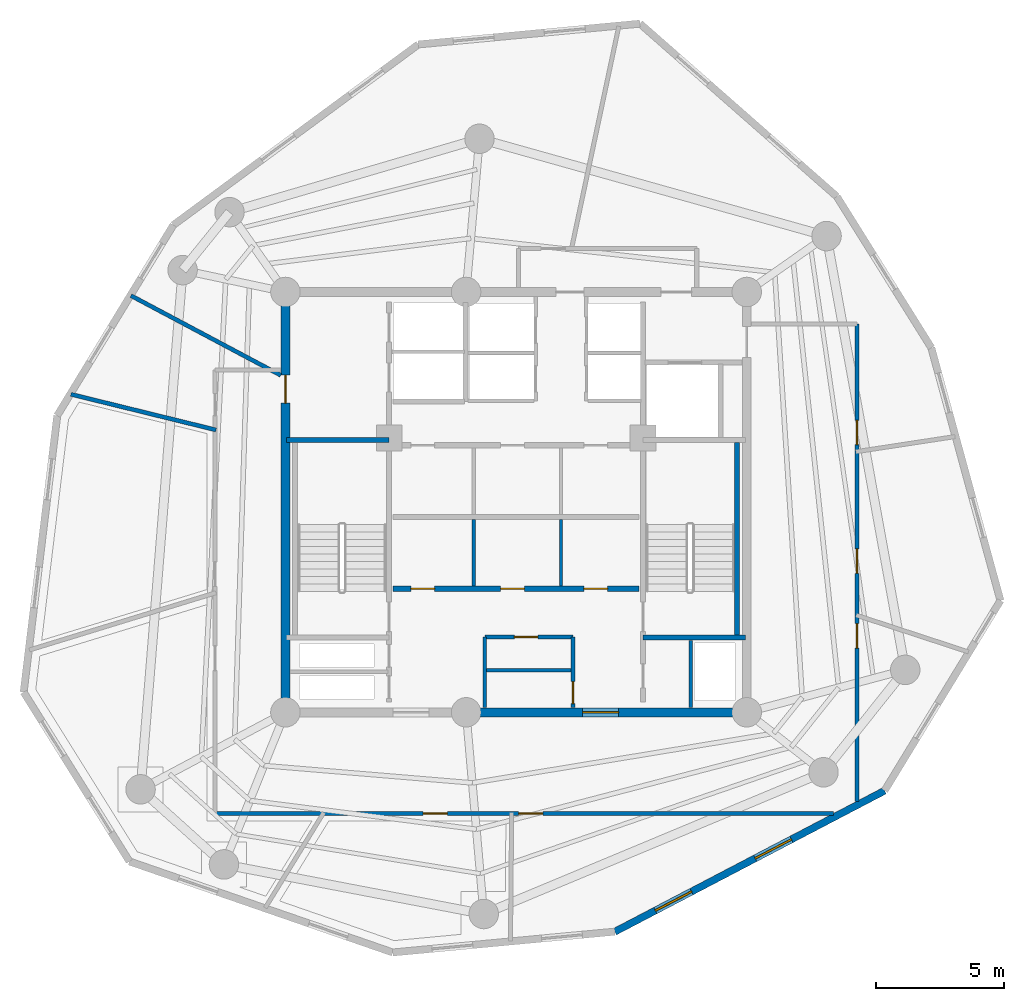
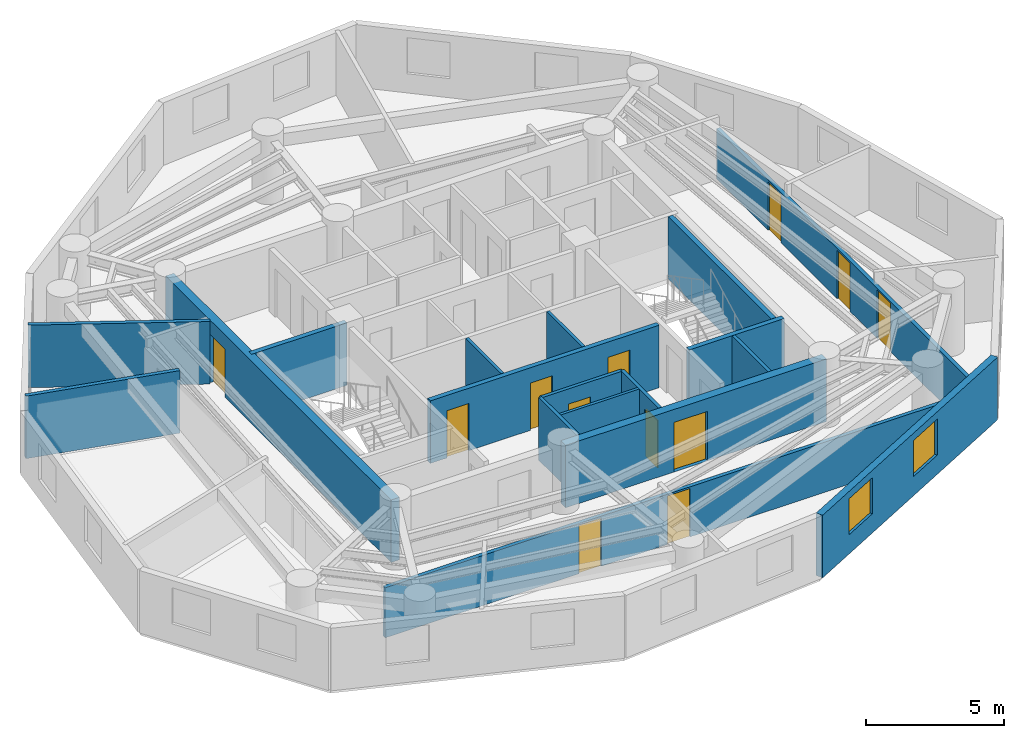
# One storey, part 3 of 6: 18 walls, 12 doors, 2 windows, 14 openings.
"""IFC4 building model written with IfcOpenShell, lengths in metres."""

from ifc_helpers import new_model, si_unit, direction, frame, frame_2d, origin, origin_with_axes, place, context, subcontext, project, spatial, rectangle, extrude, source, transform, mapped, material, layer, layer_set, type_object, element, fill, save


model = new_model("IFC4")

# Units and contexts
model_context = context("Model", 3, precision=1e-05, world=origin(), true_north=direction((0.0, 1.0)))
body_context = subcontext(model_context, "Body", "Model", "MODEL_VIEW")
ifc_project = project(units=[si_unit("LENGTHUNIT", "METRE"), si_unit("AREAUNIT", "SQUARE_METRE"), si_unit("VOLUMEUNIT", "CUBIC_METRE"), si_unit("PLANEANGLEUNIT", "RADIAN"), si_unit("MASSUNIT", "GRAM", prefix="KILO")], contexts=[model_context])

# Site, building, storey
site_placement = place(None, origin())
site = spatial("IfcSite", under=ifc_project, at=site_placement, CompositionType="ELEMENT")
building_placement = place(site_placement, origin())
building = spatial("IfcBuilding", under=site, at=building_placement, Name="Karkom Vertical University and Central Library", CompositionType="ELEMENT")
storey_placement = place(building_placement, frame((0.0, 0.0, 265.699951171875)))
storey = spatial("IfcBuildingStorey", under=building, at=storey_placement, Name="L79", CompositionType="ELEMENT", Elevation=265.699951171875)

# Wall, openings, windows
ifc_material_1 = material(Name="Brick-faced precast concrete C45/55", Category="masonry")
ifc_layer_1 = layer(ifc_material_1, 0.280029296875)
ifc_layer_set_1 = layer_set([ifc_layer_1], Name="Brick-faced precast concrete C45/55")
wall_type_1 = type_object("IfcWallType", Name="ENV-WL-BRK-280", PredefinedType="SOLIDWALL", material=ifc_layer_set_1)
wall_1_placement = place(storey_placement, frame((32.35498046875, 9.739501953125, 0.0), z_axis=(0.0, 0.0, 1.0), x_axis=(0.886211058158, 0.463281728972, 0.0)))
wall_1 = element("IfcWall", 1, at=wall_1_placement, inside=storey, type_object=wall_type_1, Name="Level 79 Brick-Faced Precast Facade Wall 04", PredefinedType="SOLIDWALL", context=body_context, shape_type="SweptSolid", body=[
    extrude(rectangle(XDim=11.87646484375, YDim=0.280029296875, at=frame_2d((5.938232421875, 0.0))), origin(), (0.0, 0.0, 1.0), 2.775146484375),
])
opening_1_placement = place(wall_1_placement, frame((1.7783203125, 0.0, 0.85009765625)))
opening_1 = element("IfcOpeningElement", 2, at=opening_1_placement, cuts=wall_1, Name="Opening WN-10", PredefinedType="OPENING", context=body_context, shape_type="SweptSolid", body=[
    extrude(rectangle(XDim=1.60009765625, YDim=1.60009765625, at=frame_2d((0.800048828125, 0.800048828125))), frame((0.0, 0.14990234375, 0.0), z_axis=(0.0, -1.0, 0.0), x_axis=(1.0, 0.0, 0.0)), (0.0, 0.0, 1.0), 0.300048828125),
])
opening_2_placement = place(wall_1_placement, frame((6.1748046875, 0.0, 0.85009765625)))
opening_2 = element("IfcOpeningElement", 3, at=opening_2_placement, cuts=wall_1, Name="Opening WN-10", PredefinedType="OPENING", context=body_context, shape_type="SweptSolid", body=[
    extrude(rectangle(XDim=1.60009765625, YDim=1.60009765625, at=frame_2d((0.800048828125, 0.800048828125))), frame((0.0, 0.14990234375, 0.0), z_axis=(0.0, -1.0, 0.0), x_axis=(1.0, 0.0, 0.0)), (0.0, 0.0, 1.0), 0.300048828125),
])
ifc_material_2 = material(Name="Aluminium thermal-break frame with solar-control IGU", Category="aluminium")
window_type = type_object("IfcWindowType", Name="ENV-WIN-WN-10", PartitioningType="SINGLE_PANEL", PredefinedType="WINDOW", material=ifc_material_2)
shared_shape_1 = source(origin_with_axes(), body_context, "Body", "SweptSolid", [
    extrude(rectangle(XDim=1.60009765625, YDim=1.60009765625, at=frame_2d((0.800048828125, 0.800048828125))), frame((0.0, 0.030029296875, 0.0), z_axis=(0.0, -1.0, 0.0), x_axis=(1.0, 0.0, 0.0)), (0.0, 0.0, 1.0), 0.06005859375),
])
window_1_placement = place(opening_1_placement, origin())
window_1 = element("IfcWindow", 4, at=window_1_placement, inside=storey, type_object=window_type, Name="Level 79 Punched Window 4.1", OverallHeight=1.60009765625, OverallWidth=1.60009765625, PartitioningType="SINGLE_PANEL", PredefinedType="WINDOW", context=body_context, shape_type="MappedRepresentation", body=[
    mapped(shared_shape_1, transform((0.0, 0.0, 0.0), scale=1.0)),
])
fill(opening_1, window_1)
window_2_placement = place(opening_2_placement, origin())
window_2 = element("IfcWindow", 5, at=window_2_placement, inside=storey, type_object=window_type, Name="Level 79 Punched Window 4.2", OverallHeight=1.60009765625, OverallWidth=1.60009765625, PartitioningType="SINGLE_PANEL", PredefinedType="WINDOW", context=body_context, shape_type="MappedRepresentation", body=[
    mapped(shared_shape_1, transform((0.0, 0.0, 0.0), scale=1.0)),
])
fill(opening_2, window_2)

# Wall, openings, doors
ifc_material_3 = material(Name="Insulated metal-stud drywall 160mm", Category="gypsum")
ifc_layer_2 = layer(ifc_material_3, 0.159912109375)
ifc_layer_set_2 = layer_set([ifc_layer_2], Name="Insulated metal-stud drywall 160mm")
wall_type_2 = type_object("IfcWallType", Name="INT-WL-COR-160", PredefinedType="PARTITIONING", material=ifc_layer_set_2)
wall_2_placement = place(storey_placement, frame((40.887451171875, 14.35009765625, 0.0), z_axis=(0.0, 0.0, 1.0), x_axis=(-1.0, 0.0, 0.0)))
wall_2 = element("IfcWall", 6, at=wall_2_placement, inside=storey, type_object=wall_type_2, Name="Level 79 Interior Partition Wall L79-CORW-CW-001", PredefinedType="PARTITIONING", context=body_context, shape_type="SweptSolid", body=[
    extrude(rectangle(XDim=24.137451171875, YDim=0.159912109375, at=frame_2d((12.06884765625, 0.0))), origin(), (0.0, 0.0, 1.0), 2.22509765625),
])
opening_3_placement = place(wall_2_placement, frame((15.064208984375, 0.0, 0.0)))
opening_3 = element("IfcOpeningElement", 7, at=opening_3_placement, cuts=wall_2, Name="Opening D-RM1", PredefinedType="OPENING", context=body_context, shape_type="SweptSolid", body=[
    extrude(rectangle(XDim=0.949951171875, YDim=2.14990234375, at=frame_2d((0.47509765625, 1.074951171875))), frame((0.0, 0.08984375, 0.0), z_axis=(0.0, -1.0, 0.0), x_axis=(1.0, 0.0, 0.0)), (0.0, 0.0, 1.0), 0.179931640625),
])
opening_4_placement = place(wall_2_placement, frame((11.33837890625, 0.0, 0.0)))
opening_4 = element("IfcOpeningElement", 8, at=opening_4_placement, cuts=wall_2, Name="Opening D-RM1", PredefinedType="OPENING", context=body_context, shape_type="SweptSolid", body=[
    extrude(rectangle(XDim=0.949951171875, YDim=2.14990234375, at=frame_2d((0.47509765625, 1.074951171875))), frame((0.0, 0.08984375, 0.0), z_axis=(0.0, -1.0, 0.0), x_axis=(1.0, 0.0, 0.0)), (0.0, 0.0, 1.0), 0.179931640625),
])
ifc_material_4 = material(Name="Solid-core oak veneer door", Category="wood")
door_type_1 = type_object("IfcDoorType", Name="INT-DR-RM1", OperationType="NOTDEFINED", PredefinedType="DOOR", material=ifc_material_4)
shared_shape_2 = source(origin_with_axes(), body_context, "Body", "SweptSolid", [
    extrude(rectangle(XDim=0.949951171875, YDim=2.14990234375, at=frame_2d((0.47509765625, 1.074951171875))), frame((0.0, 0.02490234375, 0.0), z_axis=(0.0, -1.0, 0.0), x_axis=(1.0, 0.0, 0.0)), (0.0, 0.0, 1.0), 0.050048828125),
])
door_1_placement = place(opening_3_placement, origin())
door_1 = element("IfcDoor", 9, at=door_1_placement, inside=storey, type_object=door_type_1, Name="Level 79 Room Entry Door 020", OperationType="SINGLE_SWING_LEFT", OverallHeight=2.14990234375, OverallWidth=0.949951171875, PredefinedType="DOOR", context=body_context, shape_type="MappedRepresentation", body=[
    mapped(shared_shape_2, transform((0.0, 0.0, 0.0), scale=1.0)),
])
fill(opening_3, door_1)
door_2_placement = place(opening_4_placement, origin())
door_2 = element("IfcDoor", 10, at=door_2_placement, inside=storey, type_object=door_type_1, Name="Level 79 Room Entry Door 030", OperationType="SINGLE_SWING_RIGHT", OverallHeight=2.14990234375, OverallWidth=0.949951171875, PredefinedType="DOOR", context=body_context, shape_type="MappedRepresentation", body=[
    mapped(shared_shape_2, transform((0.0, 0.0, 0.0), scale=1.0)),
])
fill(opening_4, door_2)

wall_3_placement = place(storey_placement, frame((41.800048828125, 33.449951171875, 0.0), z_axis=(0.0, 0.0, 1.0), x_axis=(0.0, -1.0, 0.0)))
wall_3 = element("IfcWall", 11, at=wall_3_placement, inside=storey, type_object=wall_type_2, Name="Level 79 Interior Partition Wall L79-CORW-CW-005", PredefinedType="PARTITIONING", context=body_context, shape_type="SweptSolid", body=[
    extrude(rectangle(XDim=18.630126953125, YDim=0.159912109375, at=frame_2d((9.31494140625, 0.0))), origin(), (0.0, 0.0, 1.0), 2.22509765625),
])
opening_5_placement = place(wall_3_placement, frame((11.69140625, 0.0, 0.0)))
opening_5 = element("IfcOpeningElement", 12, at=opening_5_placement, cuts=wall_3, Name="Opening D-RM1", PredefinedType="OPENING", context=body_context, shape_type="SweptSolid", body=[
    extrude(rectangle(XDim=0.949951171875, YDim=2.14990234375, at=frame_2d((0.47509765625, 1.074951171875))), frame((0.0, 0.08984375, 0.0), z_axis=(0.0, -1.0, 0.0), x_axis=(1.0, 0.0, 0.0)), (0.0, 0.0, 1.0), 0.179931640625),
])
opening_6_placement = place(wall_3_placement, frame((8.776123046875, 0.0, 0.0)))
opening_6 = element("IfcOpeningElement", 13, at=opening_6_placement, cuts=wall_3, Name="Opening D-RM1", PredefinedType="OPENING", context=body_context, shape_type="SweptSolid", body=[
    extrude(rectangle(XDim=0.949951171875, YDim=2.14990234375, at=frame_2d((0.47509765625, 1.074951171875))), frame((0.0, 0.08984375, 0.0), z_axis=(0.0, -1.0, 0.0), x_axis=(1.0, 0.0, 0.0)), (0.0, 0.0, 1.0), 0.179931640625),
])
opening_7_placement = place(wall_3_placement, frame((3.760498046875, 0.0, 0.0)))
opening_7 = element("IfcOpeningElement", 14, at=opening_7_placement, cuts=wall_3, Name="Opening D-RM1", PredefinedType="OPENING", context=body_context, shape_type="SweptSolid", body=[
    extrude(rectangle(XDim=0.949951171875, YDim=2.14990234375, at=frame_2d((0.47509765625, 1.074951171875))), frame((0.0, 0.08984375, 0.0), z_axis=(0.0, -1.0, 0.0), x_axis=(1.0, 0.0, 0.0)), (0.0, 0.0, 1.0), 0.179931640625),
])
door_3_placement = place(opening_5_placement, origin())
door_3 = element("IfcDoor", 15, at=door_3_placement, inside=storey, type_object=door_type_1, Name="Level 79 Room Entry Door 040", OperationType="SINGLE_SWING_LEFT", OverallHeight=2.14990234375, OverallWidth=0.949951171875, PredefinedType="DOOR", context=body_context, shape_type="MappedRepresentation", body=[
    mapped(shared_shape_2, transform((0.0, 0.0, 0.0), scale=1.0)),
])
fill(opening_5, door_3)
door_4_placement = place(opening_6_placement, origin())
door_4 = element("IfcDoor", 16, at=door_4_placement, inside=storey, type_object=door_type_1, Name="Level 79 Room Entry Door 050", OperationType="SINGLE_SWING_RIGHT", OverallHeight=2.14990234375, OverallWidth=0.949951171875, PredefinedType="DOOR", context=body_context, shape_type="MappedRepresentation", body=[
    mapped(shared_shape_2, transform((0.0, 0.0, 0.0), scale=1.0)),
])
fill(opening_6, door_4)
door_5_placement = place(opening_7_placement, origin())
door_5 = element("IfcDoor", 17, at=door_5_placement, inside=storey, type_object=door_type_1, Name="Level 79 Room Entry Door 060", OperationType="SINGLE_SWING_LEFT", OverallHeight=2.14990234375, OverallWidth=0.949951171875, PredefinedType="DOOR", context=body_context, shape_type="MappedRepresentation", body=[
    mapped(shared_shape_2, transform((0.0, 0.0, 0.0), scale=1.0)),
])
fill(opening_7, door_5)

# Walls
wall_4_placement = place(storey_placement, frame((19.318603515625, 31.44970703125, 0.0), z_axis=(0.0, 0.0, 1.0), x_axis=(-0.882944265942, 0.469477819753, 0.0)))
element("IfcWall", 18, at=wall_4_placement, inside=storey, type_object=wall_type_2, Name="Level 79 Interior Partition Wall L79-PW-008", PredefinedType="PARTITIONING", context=body_context, shape_type="SweptSolid", body=[
    extrude(rectangle(XDim=6.620849609375, YDim=0.159912109375, at=frame_2d((3.310546875, 0.0))), origin(), (0.0, 0.0, 1.0), 2.775146484375),
])
wall_5_placement = place(storey_placement, frame((11.133544921875, 30.70703125, 0.0), z_axis=(0.0, 0.0, 1.0), x_axis=(0.971093342554, -0.238700062938, 0.0)))
element("IfcWall", 19, at=wall_5_placement, inside=storey, type_object=wall_type_2, Name="Level 79 Interior Partition Wall L79-PW-002", PredefinedType="PARTITIONING", context=body_context, shape_type="SweptSolid", body=[
    extrude(rectangle(XDim=5.828857421875, YDim=0.159912109375, at=frame_2d((2.91455078125, 0.0))), origin(), (0.0, 0.0, 1.0), 2.775146484375),
])
ifc_material_5 = material(Name="Moisture-resistant drywall 120mm", Category="gypsum")
ifc_layer_3 = layer(ifc_material_5, 0.1201171875)
ifc_layer_set_3 = layer_set([ifc_layer_3], Name="Moisture-resistant drywall 120mm")
wall_type_3 = type_object("IfcWallType", Name="INT-WL-INT-120", PredefinedType="PARTITIONING", material=ifc_layer_set_3)
wall_6_placement = place(storey_placement, frame((27.280029296875, 19.93994140625, 0.0), z_axis=(0.0, 0.0, 1.0), x_axis=(1.0, 0.0, 0.0)))
element("IfcWall", 20, at=wall_6_placement, inside=storey, type_object=wall_type_3, Name="Level 79 Interior Partition Wall L79-CW-K4-DIV", PredefinedType="PARTITIONING", context=body_context, shape_type="SweptSolid", body=[
    extrude(rectangle(XDim=3.43994140625, YDim=0.1201171875, at=frame_2d((1.719970703125, 0.0))), origin(), (0.0, 0.0, 1.0), 2.775146484375),
])
for number, where, z_axis, x_axis, name in (
    (21, (26.85009765625, 23.22705078125, 0.0), (0.0, 0.0, 1.0), (0.0, 1.0, 0.0), "Level 79 Interior Partition Wall L79-CW-B1-K4A"),
    (22, (30.25, 23.22705078125, 0.0), (0.0, 0.0, 1.0), (0.0, 1.0, 0.0), "Level 79 Interior Partition Wall L79-CW-B1-K4B"),
):
    element("IfcWall", number, at=place(storey_placement, frame(where, z_axis=z_axis, x_axis=x_axis)), inside=storey, type_object=wall_type_3, Name=name, PredefinedType="PARTITIONING", context=body_context, shape_type="SweptSolid", body=[
        extrude(rectangle(XDim=2.586669921875, YDim=0.1201171875, at=frame_2d((1.29345703125, 0.0))), origin(), (0.0, 0.0, 1.0), 2.775146484375),
    ])

# Wall, opening, door
ifc_material_6 = material(Name="Metal-stud gypsum partition 140mm", Category="gypsum")
ifc_layer_4 = layer(ifc_material_6, 0.139892578125)
ifc_layer_set_4 = layer_set([ifc_layer_4], Name="Metal-stud gypsum partition 140mm")
wall_type_4 = type_object("IfcWallType", Name="INT-WL-SUB-140", PredefinedType="PARTITIONING", material=ifc_layer_set_4)
wall_7_placement = place(storey_placement, frame((27.280029296875, 21.239990234375, 0.0), z_axis=(0.0, 0.0, 1.0), x_axis=(1.0, 0.0, 0.0)))
wall_7 = element("IfcWall", 23, at=wall_7_placement, inside=storey, type_object=wall_type_4, Name="Level 79 Interior Partition Wall L79-CW-KBAY-N", PredefinedType="PARTITIONING", context=body_context, shape_type="SweptSolid", body=[
    extrude(rectangle(XDim=3.43994140625, YDim=0.139892578125, at=frame_2d((1.719970703125, 0.0))), origin(), (0.0, 0.0, 1.0), 2.775146484375),
])
opening_8_placement = place(wall_7_placement, frame((1.14990234375, 0.0, 0.0)))
opening_8 = element("IfcOpeningElement", 24, at=opening_8_placement, cuts=wall_7, Name="Opening D-SVC1", PredefinedType="OPENING", context=body_context, shape_type="SweptSolid", body=[
    extrude(rectangle(XDim=0.919921875, YDim=2.10009765625, at=frame_2d((0.4599609375, 1.050048828125))), frame((0.0, 0.080078125, 0.0), z_axis=(0.0, -1.0, 0.0), x_axis=(1.0, 0.0, 0.0)), (0.0, 0.0, 1.0), 0.159912109375),
])
ifc_material_7 = material(Name="Painted timber service door", Category="wood")
door_type_2 = type_object("IfcDoorType", Name="INT-DR-SVC1", OperationType="NOTDEFINED", PredefinedType="DOOR", material=ifc_material_7)
shared_shape_3 = source(origin_with_axes(), body_context, "Body", "SweptSolid", [
    extrude(rectangle(XDim=0.919921875, YDim=2.10009765625, at=frame_2d((0.4599609375, 1.050048828125))), frame((0.0, 0.02490234375, 0.0), z_axis=(0.0, -1.0, 0.0), x_axis=(1.0, 0.0, 0.0)), (0.0, 0.0, 1.0), 0.050048828125),
])
door_6_placement = place(opening_8_placement, origin())
door_6 = element("IfcDoor", 25, at=door_6_placement, inside=storey, type_object=door_type_2, Name="Level 79 Valve Cupboard Door", OperationType="SINGLE_SWING_LEFT", OverallHeight=2.10009765625, OverallWidth=0.919921875, PredefinedType="DOOR", context=body_context, shape_type="MappedRepresentation", body=[
    mapped(shared_shape_3, transform((0.0, 0.0, 0.0), scale=1.0)),
])
fill(opening_8, door_6)

# Wall
wall_8_placement = place(storey_placement, frame((27.280029296875, 18.48193359375, 0.0), z_axis=(0.0, 0.0, 1.0), x_axis=(0.0, 1.0, 0.0)))
element("IfcWall", 26, at=wall_8_placement, inside=storey, type_object=wall_type_4, Name="Level 79 Interior Partition Wall L79-CW-KBAY-W", PredefinedType="PARTITIONING", context=body_context, shape_type="SweptSolid", body=[
    extrude(rectangle(XDim=2.758056640625, YDim=0.139892578125, at=frame_2d((1.37890625, 0.0))), origin(), (0.0, 0.0, 1.0), 2.775146484375),
])

# Wall, opening, door
wall_9_placement = place(storey_placement, frame((30.719970703125, 18.48193359375, 0.0), z_axis=(0.0, 0.0, 1.0), x_axis=(0.0, 1.0, 0.0)))
wall_9 = element("IfcWall", 27, at=wall_9_placement, inside=storey, type_object=wall_type_4, Name="Level 79 Interior Partition Wall L79-CW-KBAY-E", PredefinedType="PARTITIONING", context=body_context, shape_type="SweptSolid", body=[
    extrude(rectangle(XDim=2.758056640625, YDim=0.139892578125, at=frame_2d((1.37890625, 0.0))), origin(), (0.0, 0.0, 1.0), 2.775146484375),
])
opening_9_placement = place(wall_9_placement, frame((0.159912109375, 0.0, 0.0)))
opening_9 = element("IfcOpeningElement", 28, at=opening_9_placement, cuts=wall_9, Name="Opening FD-BTH1", PredefinedType="OPENING", context=body_context, shape_type="SweptSolid", body=[
    extrude(rectangle(XDim=0.860107421875, YDim=2.10009765625, at=frame_2d((0.43017578125, 1.050048828125))), frame((0.0, 0.080078125, 0.0), z_axis=(0.0, -1.0, 0.0), x_axis=(1.0, 0.0, 0.0)), (0.0, 0.0, 1.0), 0.159912109375),
])
ifc_material_8 = material(Name="Fire-rated moisture-resistant oak door", Category="wood")
door_type_3 = type_object("IfcDoorType", Name="INT-DR-FBTH1", OperationType="NOTDEFINED", PredefinedType="DOOR", material=ifc_material_8)
shared_shape_4 = source(origin_with_axes(), body_context, "Body", "SweptSolid", [
    extrude(rectangle(XDim=0.860107421875, YDim=2.10009765625, at=frame_2d((0.43017578125, 1.050048828125))), frame((0.0, 0.02490234375, 0.0), z_axis=(0.0, -1.0, 0.0), x_axis=(1.0, 0.0, 0.0)), (0.0, 0.0, 1.0), 0.050048828125),
])
door_7_placement = place(opening_9_placement, origin())
door_7 = element("IfcDoor", 29, at=door_7_placement, inside=storey, type_object=door_type_3, Name="Level 79 Metering Cupboard Door", OperationType="SINGLE_SWING_RIGHT", OverallHeight=2.10009765625, OverallWidth=0.860107421875, PredefinedType="DOOR", context=body_context, shape_type="MappedRepresentation", body=[
    mapped(shared_shape_4, transform((0.0, 0.0, 0.0), scale=1.0)),
])
fill(opening_9, door_7)

# Wall
ifc_layer_5 = layer(ifc_material_6, 0.139892578125)
ifc_layer_set_5 = layer_set([ifc_layer_5], Name="Metal-stud gypsum partition 140mm")
wall_type_5 = type_object("IfcWallType", Name="INT-WL-SUB-140H", PredefinedType="PARTITIONING", material=ifc_layer_set_5)
wall_10_placement = place(storey_placement, frame((35.320068359375, 18.48193359375, 0.0), z_axis=(0.0, 0.0, 1.0), x_axis=(0.0, 1.0, 0.0)))
element("IfcWall", 30, at=wall_10_placement, inside=storey, type_object=wall_type_5, Name="Level 79 Interior Partition Wall L79-CW-RIS-E", PredefinedType="PARTITIONING", context=body_context, shape_type="SweptSolid", body=[
    extrude(rectangle(XDim=2.629150390625, YDim=0.139892578125, at=frame_2d((1.314453125, 0.0))), origin(), (0.0, 0.0, 1.0), 2.775146484375),
])

# Wall, opening, door
ifc_material_9 = material(Name="Concrete C45/55", Category="concrete")
ifc_layer_6 = layer(ifc_material_9, 0.35009765625)
ifc_layer_set_6 = layer_set([ifc_layer_6], Name="Concrete C45/55")
wall_type_6 = type_object("IfcWallType", Name="STR-WL-CW-350", PredefinedType="SHEAR", material=ifc_layer_set_6)
wall_11_placement = place(storey_placement, frame((26.550048828125, 18.300048828125, 0.0), z_axis=(0.0, 0.0, 1.0), x_axis=(1.0, 0.0, 0.0)))
wall_11 = element("IfcWall", 31, at=wall_11_placement, inside=storey, type_object=wall_type_6, Name="Level 79 Central Core Shear Wall SW2", PredefinedType="SHEAR", context=body_context, shape_type="SweptSolid", body=[
    extrude(rectangle(XDim=10.949951171875, YDim=0.35009765625, at=frame_2d((5.47509765625, 0.0))), origin(), (0.0, 0.0, 1.0), 2.775146484375),
])
opening_10_placement = place(wall_11_placement, frame((4.550048828125, 0.0, 0.0)))
opening_10 = element("IfcOpeningElement", 32, at=opening_10_placement, cuts=wall_11, Name="Opening FD-CLB", PredefinedType="OPENING", context=body_context, shape_type="SweptSolid", body=[
    extrude(rectangle(XDim=1.39990234375, YDim=2.199951171875, at=frame_2d((0.699951171875, 1.10009765625))), frame((0.0, 0.18505859375, 0.0), z_axis=(0.0, -1.0, 0.0), x_axis=(1.0, 0.0, 0.0)), (0.0, 0.0, 1.0), 0.3701171875),
])
ifc_material_10 = material(Name="Painted steel fire door", Category="steel")
door_type_4 = type_object("IfcDoorType", Name="INT-DR-CLB", OperationType="DOUBLE_DOOR_SINGLE_SWING", PredefinedType="DOOR", material=ifc_material_10)
shared_shape_5 = source(origin_with_axes(), body_context, "Body", "SweptSolid", [
    extrude(rectangle(XDim=1.39990234375, YDim=2.199951171875, at=frame_2d((0.699951171875, 1.10009765625))), frame((0.0, 0.02490234375, 0.0), z_axis=(0.0, -1.0, 0.0), x_axis=(1.0, 0.0, 0.0)), (0.0, 0.0, 1.0), 0.050048828125),
])
door_8_placement = place(opening_10_placement, origin())
door_8 = element("IfcDoor", 33, at=door_8_placement, inside=storey, type_object=door_type_4, Name="Level 79 South Core Lobby East Exit Door", OperationType="DOUBLE_DOOR_SINGLE_SWING", OverallHeight=2.199951171875, OverallWidth=1.39990234375, PredefinedType="DOOR", context=body_context, shape_type="MappedRepresentation", body=[
    mapped(shared_shape_5, transform((0.0, 0.0, 0.0), scale=1.0)),
])
fill(opening_10, door_8)

wall_12_placement = place(storey_placement, frame((19.5, 34.699951171875, 0.0), z_axis=(0.0, 0.0, 1.0), x_axis=(0.0, -1.0, 0.0)))
wall_12 = element("IfcWall", 34, at=wall_12_placement, inside=storey, type_object=wall_type_6, Name="Level 79 Central Core Shear Wall WW", PredefinedType="SHEAR", context=body_context, shape_type="SweptSolid", body=[
    extrude(rectangle(XDim=16.39990234375, YDim=0.35009765625, at=frame_2d((8.199951171875, 0.0))), origin(), (0.0, 0.0, 1.0), 2.775146484375),
])
opening_11_placement = place(wall_12_placement, frame((3.239990234375, 0.0, 0.0)))
opening_11 = element("IfcOpeningElement", 35, at=opening_11_placement, cuts=wall_12, Name="Opening FD-FFL", PredefinedType="OPENING", context=body_context, shape_type="SweptSolid", body=[
    extrude(rectangle(XDim=1.10009765625, YDim=2.14990234375, at=frame_2d((0.550048828125, 1.074951171875))), frame((0.0, 0.18505859375, 0.0), z_axis=(0.0, -1.0, 0.0), x_axis=(1.0, 0.0, 0.0)), (0.0, 0.0, 1.0), 0.3701171875),
])
ifc_material_11 = material(Name="Painted steel smoke-seal fire door", Category="steel")
door_type_5 = type_object("IfcDoorType", Name="INT-DR-FFL", OperationType="NOTDEFINED", PredefinedType="DOOR", material=ifc_material_11)
shared_shape_6 = source(origin_with_axes(), body_context, "Body", "SweptSolid", [
    extrude(rectangle(XDim=1.10009765625, YDim=2.14990234375, at=frame_2d((0.550048828125, 1.074951171875))), frame((0.0, 0.02490234375, 0.0), z_axis=(0.0, -1.0, 0.0), x_axis=(1.0, 0.0, 0.0)), (0.0, 0.0, 1.0), 0.050048828125),
])
door_9_placement = place(opening_11_placement, origin())
door_9 = element("IfcDoor", 36, at=door_9_placement, inside=storey, type_object=door_type_5, Name="Level 79 West Corridor Firefighting Lobby Door", OperationType="SINGLE_SWING_RIGHT", OverallHeight=2.14990234375, OverallWidth=1.10009765625, PredefinedType="DOOR", context=body_context, shape_type="MappedRepresentation", body=[
    mapped(shared_shape_6, transform((0.0, 0.0, 0.0), scale=1.0)),
])
fill(opening_11, door_9)

# Wall, openings, doors
ifc_layer_7 = layer(ifc_material_9, 0.199951171875)
ifc_layer_set_7 = layer_set([ifc_layer_7], Name="Concrete C45/55")
wall_type_7 = type_object("IfcWallType", Name="STR-WL-ST-200", PredefinedType="SHEAR", material=ifc_layer_set_7)
wall_13_placement = place(storey_placement, frame((23.699951171875, 23.1201171875, 0.0), z_axis=(0.0, 0.0, 1.0), x_axis=(1.0, 0.0, 0.0)))
wall_13 = element("IfcWall", 37, at=wall_13_placement, inside=storey, type_object=wall_type_7, Name="Level 79 Core Shaft Wall L79-CW-B1-S", PredefinedType="SHEAR", context=body_context, shape_type="SweptSolid", body=[
    extrude(rectangle(XDim=9.60009765625, YDim=0.199951171875, at=frame_2d((4.800048828125, 0.0))), origin(), (0.0, 0.0, 1.0), 2.775146484375),
])
opening_12_placement = place(wall_13_placement, frame((0.699951171875, 0.0, 0.0)))
opening_12 = element("IfcOpeningElement", 38, at=opening_12_placement, cuts=wall_13, Name="Opening D-SVC1", PredefinedType="OPENING", context=body_context, shape_type="SweptSolid", body=[
    extrude(rectangle(XDim=0.919921875, YDim=2.10009765625, at=frame_2d((0.4599609375, 1.050048828125))), frame((0.0, 0.10986328125, 0.0), z_axis=(0.0, -1.0, 0.0), x_axis=(1.0, 0.0, 0.0)), (0.0, 0.0, 1.0), 0.219970703125),
])
opening_13_placement = place(wall_13_placement, frame((4.199951171875, 0.0, 0.0)))
opening_13 = element("IfcOpeningElement", 39, at=opening_13_placement, cuts=wall_13, Name="Opening D-SVC1", PredefinedType="OPENING", context=body_context, shape_type="SweptSolid", body=[
    extrude(rectangle(XDim=0.919921875, YDim=2.10009765625, at=frame_2d((0.4599609375, 1.050048828125))), frame((0.0, 0.10986328125, 0.0), z_axis=(0.0, -1.0, 0.0), x_axis=(1.0, 0.0, 0.0)), (0.0, 0.0, 1.0), 0.219970703125),
])
opening_14_placement = place(wall_13_placement, frame((7.449951171875, 0.0, 0.0)))
opening_14 = element("IfcOpeningElement", 40, at=opening_14_placement, cuts=wall_13, Name="Opening D-SVC1", PredefinedType="OPENING", context=body_context, shape_type="SweptSolid", body=[
    extrude(rectangle(XDim=0.919921875, YDim=2.10009765625, at=frame_2d((0.4599609375, 1.050048828125))), frame((0.0, 0.10986328125, 0.0), z_axis=(0.0, -1.0, 0.0), x_axis=(1.0, 0.0, 0.0)), (0.0, 0.0, 1.0), 0.219970703125),
])
door_10_placement = place(opening_12_placement, origin())
door_10 = element("IfcDoor", 41, at=door_10_placement, inside=storey, type_object=door_type_2, Name="Level 79 B1 Store A Door", OperationType="SINGLE_SWING_RIGHT", OverallHeight=2.10009765625, OverallWidth=0.919921875, PredefinedType="DOOR", context=body_context, shape_type="MappedRepresentation", body=[
    mapped(shared_shape_3, transform((0.0, 0.0, 0.0), scale=1.0)),
])
fill(opening_12, door_10)
door_11_placement = place(opening_13_placement, origin())
door_11 = element("IfcDoor", 42, at=door_11_placement, inside=storey, type_object=door_type_2, Name="Level 79 B1 Comms Door", OperationType="SINGLE_SWING_LEFT", OverallHeight=2.10009765625, OverallWidth=0.919921875, PredefinedType="DOOR", context=body_context, shape_type="MappedRepresentation", body=[
    mapped(shared_shape_3, transform((0.0, 0.0, 0.0), scale=1.0)),
])
fill(opening_13, door_11)
door_12_placement = place(opening_14_placement, origin())
door_12 = element("IfcDoor", 43, at=door_12_placement, inside=storey, type_object=door_type_2, Name="Level 79 B1 Store C Door", OperationType="SINGLE_SWING_RIGHT", OverallHeight=2.10009765625, OverallWidth=0.919921875, PredefinedType="DOOR", context=body_context, shape_type="MappedRepresentation", body=[
    mapped(shared_shape_3, transform((0.0, 0.0, 0.0), scale=1.0)),
])
fill(opening_14, door_12)

# Walls
wall_14_placement = place(storey_placement, frame((37.125, 21.320068359375, 0.0), z_axis=(0.0, 0.0, 1.0), x_axis=(0.0, 1.0, 0.0)))
element("IfcWall", 44, at=wall_14_placement, inside=storey, type_object=wall_type_7, Name="Level 79 Core Shaft Wall L79-CW-ST2-E", PredefinedType="SHEAR", context=body_context, shape_type="SweptSolid", body=[
    extrude(rectangle(XDim=7.5, YDim=0.199951171875, at=frame_2d((3.75, 0.0))), origin(), (0.0, 0.0, 1.0), 2.775146484375),
])
for number, where, z_axis, x_axis, name in (
    (45, (33.455078125, 21.215087890625, 0.0), (0.0, 0.0, 1.0), (1.0, 0.0, 0.0), "Level 79 Core Shaft Wall L79-CW-ST2-S"),
    (46, (19.550048828125, 28.925048828125, 0.0), (0.0, 0.0, 1.0), (1.0, 0.0, 0.0), "Level 79 Core Shaft Wall L79-CW-ST1-N"),
):
    element("IfcWall", number, at=place(storey_placement, frame(where, z_axis=z_axis, x_axis=x_axis)), inside=storey, type_object=wall_type_7, Name=name, PredefinedType="SHEAR", context=body_context, shape_type="SweptSolid", body=[
        extrude(rectangle(XDim=3.994873046875, YDim=0.199951171875, at=frame_2d((1.99755859375, 0.0))), origin(), (0.0, 0.0, 1.0), 2.775146484375),
    ])

save(model, "model.ifc")
